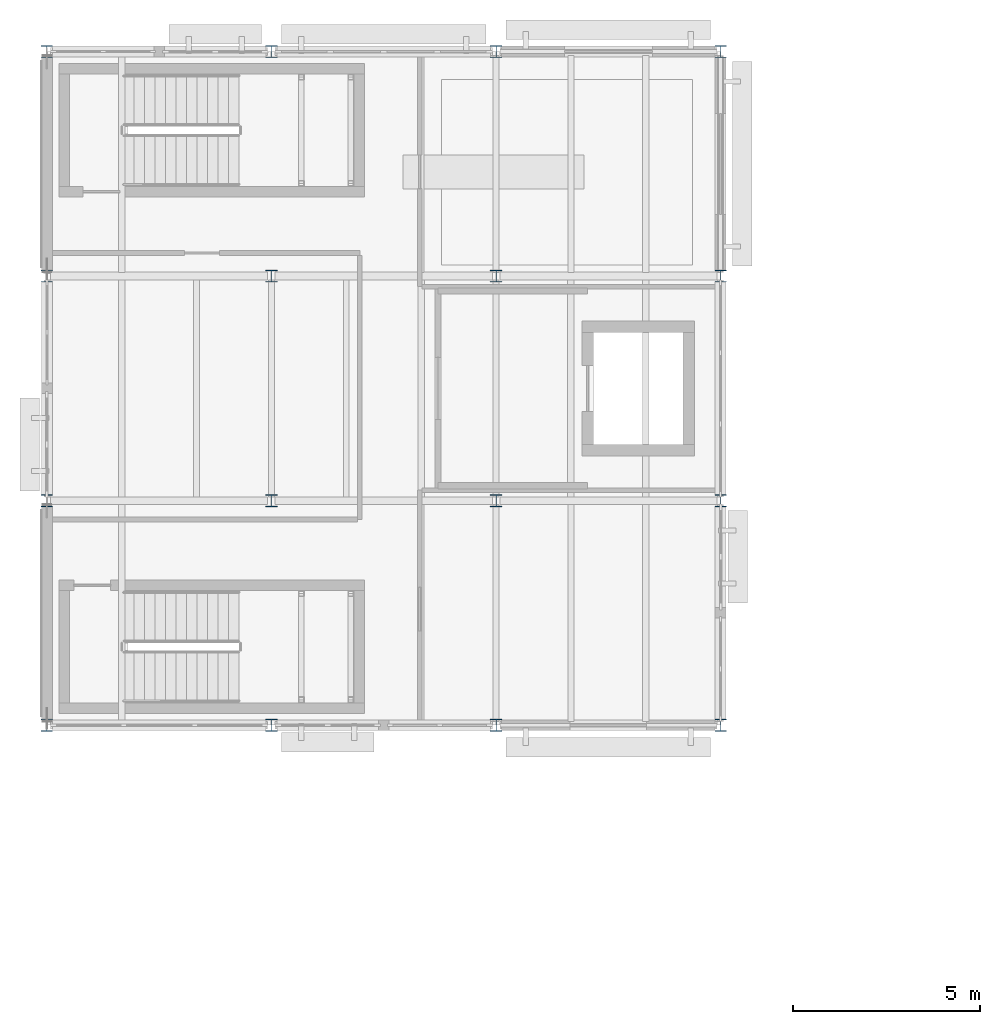
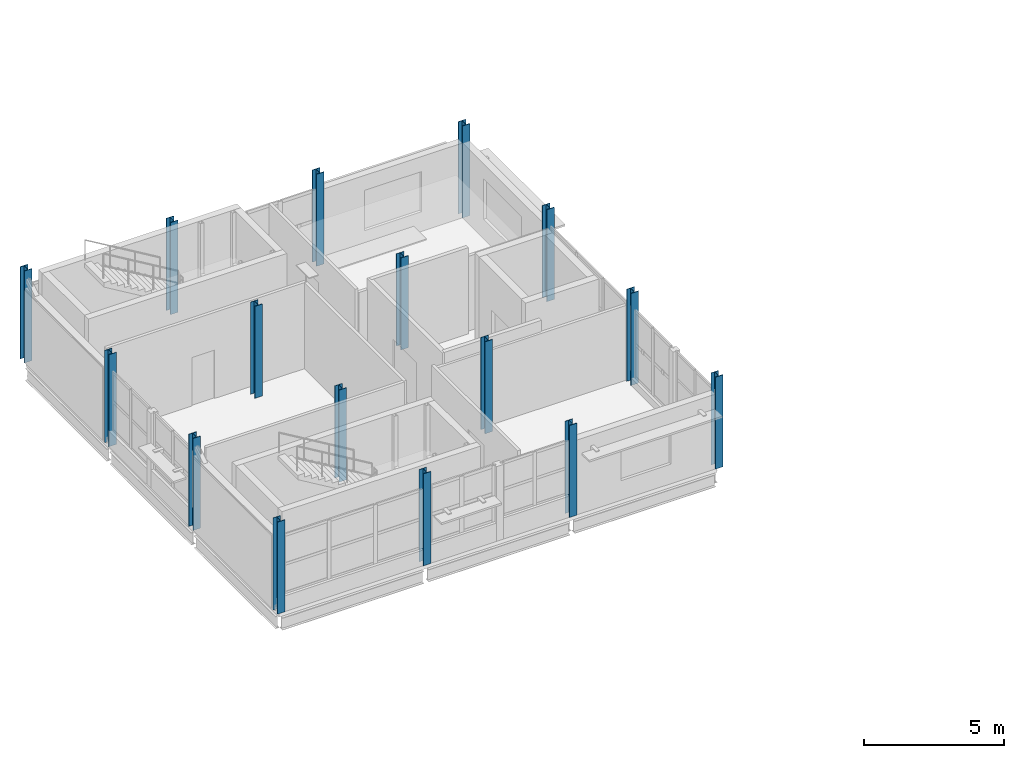
# One storey, part 7 of 45: 16 columns.
"""IFC4 building model written with IfcOpenShell, lengths in metres."""

from ifc_helpers import new_model, si_unit, direction, frame, origin, origin_2d, place, context, subcontext, project, spatial, i_section, extrude, material, material_profile, profile_set, type_object, element, save


model = new_model("IFC4")

# Units and contexts
model_context = context("Model", 3, precision=1e-05, world=origin(), true_north=direction((0.0, 1.0)))
body_context = subcontext(model_context, "Body", "Model", "MODEL_VIEW")
ifc_project = project(units=[si_unit("LENGTHUNIT", "METRE"), si_unit("AREAUNIT", "SQUARE_METRE"), si_unit("VOLUMEUNIT", "CUBIC_METRE"), si_unit("PLANEANGLEUNIT", "RADIAN"), si_unit("MASSUNIT", "GRAM", prefix="KILO")], contexts=[model_context])

# Site, building, storey
site_placement = place(None, origin())
site = spatial("IfcSite", under=ifc_project, at=site_placement, CompositionType="ELEMENT")
building_placement = place(site_placement, origin())
building = spatial("IfcBuilding", under=site, at=building_placement, Name="Siltcreek Boulevard Central Fire Station", CompositionType="ELEMENT")
storey_placement = place(building_placement, frame((0.0, 0.0, 10.0)))
storey = spatial("IfcBuildingStorey", under=building, at=storey_placement, Name="L03", CompositionType="ELEMENT", Elevation=10.0)

# Columns
ifc_material = material(Name="Structural steel ASTM A992 Gr50", Category="steel")
ifc_material_profile = material_profile(ifc_material, i_section(OverallWidth=0.30908203125, OverallDepth=0.322998046875, WebThickness=0.01318359375, FlangeThickness=0.02294921875, at=origin_2d()), Name="W310X143")
ifc_profile_set = profile_set([ifc_material_profile], Name="Structural steel ASTM A992 Gr50")
column_type = type_object("IfcColumnType", Name="COL_W310X143", PredefinedType="COLUMN", material=ifc_profile_set)
for number, where, z_axis, x_axis, name in (
    (1, (42.0, 94.199951171875, 0.0), (0.0, 0.0, 1.0), (1.0, 0.0, 0.0), "L03 structural column COLG-L03-420-942"),
    (2, (42.0, 100.199951171875, 0.0), (0.0, 0.0, 1.0), (1.0, 0.0, 0.0), "L03 structural column COLG-L03-420-1002"),
    (3, (42.0, 106.199951171875, 0.0), (0.0, 0.0, 1.0), (1.0, 0.0, 0.0), "L03 structural column COLG-L03-420-1062"),
    (4, (42.0, 112.199951171875, 0.0), (0.0, 0.0, 1.0), (1.0, 0.0, 0.0), "L03 structural column COLG-L03-420-1122"),
    (5, (48.0, 94.199951171875, 0.0), (0.0, 0.0, 1.0), (1.0, 0.0, 0.0), "L03 structural column COLG-L03-480-942"),
    (6, (48.0, 100.199951171875, 0.0), (0.0, 0.0, 1.0), (1.0, 0.0, 0.0), "L03 structural column COLG-L03-480-1002"),
    (7, (48.0, 106.199951171875, 0.0), (0.0, 0.0, 1.0), (1.0, 0.0, 0.0), "L03 structural column COLG-L03-480-1062"),
    (8, (48.0, 112.199951171875, 0.0), (0.0, 0.0, 1.0), (1.0, 0.0, 0.0), "L03 structural column COLG-L03-480-1122"),
    (9, (54.0, 94.199951171875, 0.0), (0.0, 0.0, 1.0), (1.0, 0.0, 0.0), "L03 structural column COLG-L03-540-942"),
    (10, (54.0, 100.199951171875, 0.0), (0.0, 0.0, 1.0), (1.0, 0.0, 0.0), "L03 structural column COLG-L03-540-1002"),
    (11, (54.0, 106.199951171875, 0.0), (0.0, 0.0, 1.0), (1.0, 0.0, 0.0), "L03 structural column COLG-L03-540-1062"),
    (12, (54.0, 112.199951171875, 0.0), (0.0, 0.0, 1.0), (1.0, 0.0, 0.0), "L03 structural column COLG-L03-540-1122"),
    (13, (60.0, 94.199951171875, 0.0), (0.0, 0.0, 1.0), (1.0, 0.0, 0.0), "L03 structural column COLG-L03-600-942"),
    (14, (60.0, 100.199951171875, 0.0), (0.0, 0.0, 1.0), (1.0, 0.0, 0.0), "L03 structural column COLG-L03-600-1002"),
    (15, (60.0, 106.199951171875, 0.0), (0.0, 0.0, 1.0), (1.0, 0.0, 0.0), "L03 structural column COLG-L03-600-1062"),
    (16, (60.0, 112.199951171875, 0.0), (0.0, 0.0, 1.0), (1.0, 0.0, 0.0), "L03 structural column COLG-L03-600-1122"),
):
    element("IfcColumn", number, at=place(storey_placement, frame(where, z_axis=z_axis, x_axis=x_axis)), inside=storey, type_object=column_type, Name=name, PredefinedType="COLUMN", context=body_context, shape_type="SweptSolid", body=[
        extrude(i_section(OverallWidth=0.30908203125, OverallDepth=0.322998046875, WebThickness=0.01318359375, FlangeThickness=0.02294921875, at=origin_2d()), origin(), (0.0, 0.0, 1.0), 4.0),
    ])

save(model, "model.ifc")
